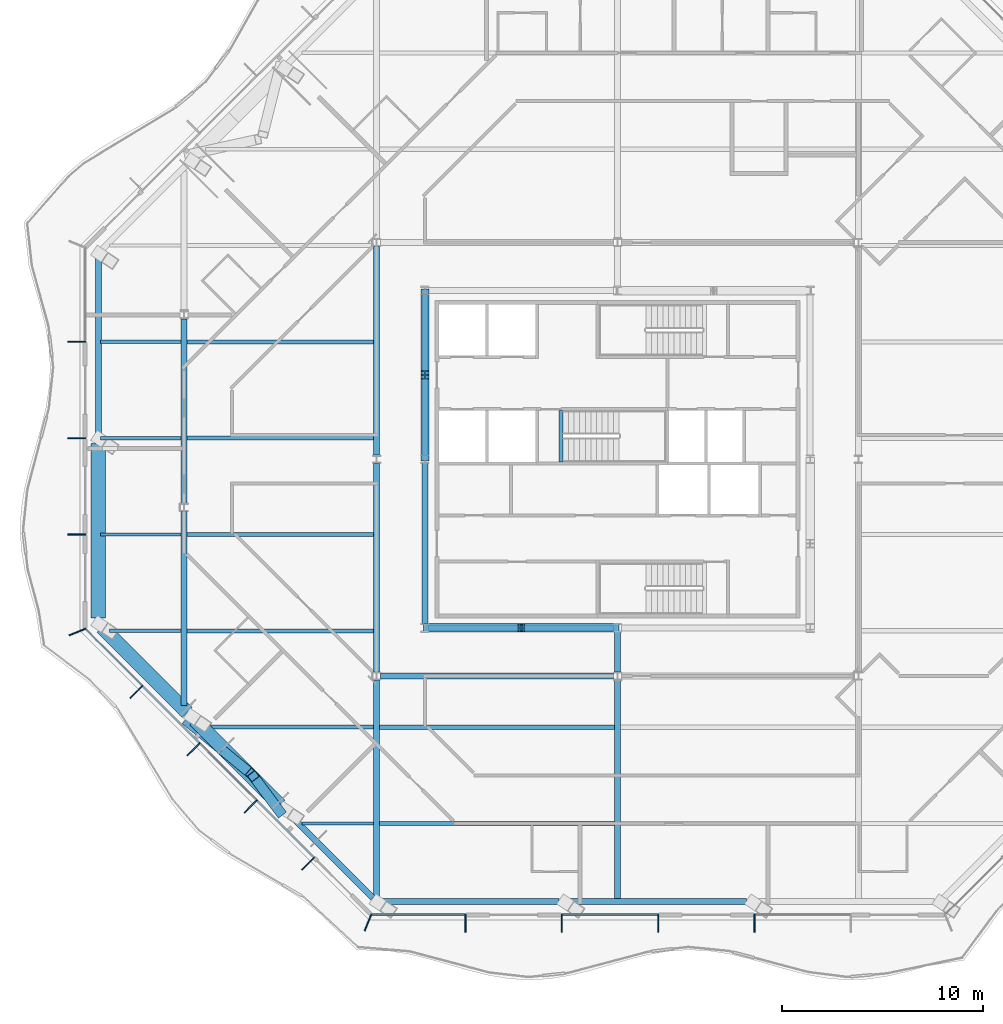
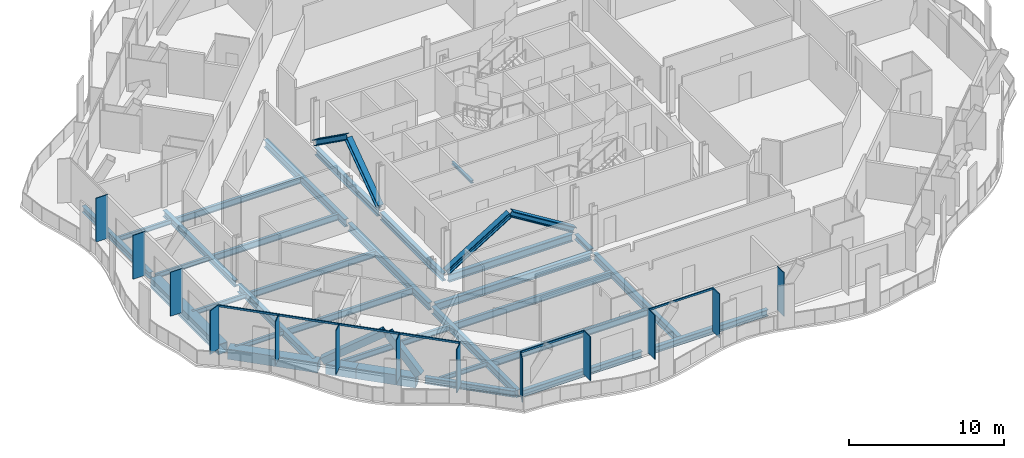
# One storey, part 3 of 21: 32 beams, 25 members, 3 elements without a shape of their own.
"""IFC4 building model written with IfcOpenShell, lengths in metres."""

from ifc_helpers import new_model, si_unit, direction, frame, origin, origin_2d, place, context, subcontext, project, spatial, rectangle, hollow_rectangle, i_section, extrude, material, material_profile, profile_set, type_object, element, aggregate, save


model = new_model("IFC4")

# Units and contexts
model_context = context("Model", 3, precision=1e-05, world=origin(), true_north=direction((0.0, 1.0)))
body_context = subcontext(model_context, "Body", "Model", "MODEL_VIEW")
ifc_project = project(units=[si_unit("LENGTHUNIT", "METRE"), si_unit("AREAUNIT", "SQUARE_METRE"), si_unit("VOLUMEUNIT", "CUBIC_METRE"), si_unit("PLANEANGLEUNIT", "RADIAN"), si_unit("MASSUNIT", "GRAM", prefix="KILO")], contexts=[model_context])

# Site, building, storey
site_placement = place(None, origin())
site = spatial("IfcSite", under=ifc_project, at=site_placement, CompositionType="ELEMENT")
building_placement = place(site_placement, origin())
building = spatial("IfcBuilding", under=site, at=building_placement, Name="Cairn Pilgrim Tower", CompositionType="ELEMENT")
storey_placement = place(building_placement, frame((0.0, 0.0, 183.0)))
storey = spatial("IfcBuildingStorey", under=building, at=storey_placement, Name="L46", CompositionType="ELEMENT", Elevation=183.0)

# Members
ifc_material_1 = material(Name="Structural steel S460M", Category="steel")
ifc_material_profile_1 = material_profile(ifc_material_1, hollow_rectangle(XDim=0.5, YDim=0.5, WallThickness=0.030029296875, at=origin_2d()), Name="BOX 500x500x30")
ifc_profile_set_1 = profile_set([ifc_material_profile_1], Name="Structural steel S460M")
member_type_1 = type_object("IfcMemberType", Name="BOX 500x500x30 BRACE", PredefinedType="BRACE", material=ifc_profile_set_1)
member_1_placement = place(storey_placement, frame((-14.23095703125, -10.66650390625, 0.14990234375), z_axis=(0.645685116665, -0.530402182222, 0.549330733904), x_axis=(0.634752270866, 0.772715701038, 0.0)))
element("IfcMember", 1, at=member_1_placement, inside=storey, type_object=member_type_1, Name="XB-SW2-SW3-1", PredefinedType="BRACE", context=body_context, shape_type="SweptSolid", body=[
    extrude(hollow_rectangle(XDim=0.5, YDim=0.5, WallThickness=0.030029296875, at=origin_2d()), origin(), (0.0, 0.0, 1.0), 4.849609375),
])
member_2_placement = place(storey_placement, frame((-9.61279296875, -15.17724609375, 0.123779296875), z_axis=(-0.381455883571, 0.510868427649, 0.770392665152), x_axis=(-0.801274614577, -0.598296742457, 0.0)))
element("IfcMember", 2, at=member_2_placement, inside=storey, type_object=member_type_1, Name="XB-SW2-SW3-2", PredefinedType="BRACE", context=body_context, shape_type="SweptSolid", body=[
    extrude(hollow_rectangle(XDim=0.5, YDim=0.5, WallThickness=0.030029296875, at=origin_2d()), origin(), (0.0, 0.0, 1.0), 3.491943359375),
])

# Beams
ifc_material_2 = material(Name="Structural steel S355J2", Category="steel")
ifc_material_profile_2 = material_profile(ifc_material_2, hollow_rectangle(XDim=0.699951171875, YDim=0.800048828125, WallThickness=0.0400390625, at=origin_2d()), Name="BOX 700x800x40")
ifc_profile_set_2 = profile_set([ifc_material_profile_2], Name="Structural steel S355J2")
beam_type_1 = type_object("IfcBeamType", Name="BOX 700x800x40 RING GIRDER", PredefinedType="SPANDREL", material=ifc_profile_set_2)
beam_1_placement = place(storey_placement, frame((-18.675048828125, 3.179931640625, -0.550048828125), z_axis=(0.0, -1.0, 0.0), x_axis=(1.0, 0.0, 0.0)))
element("IfcBeam", 3, at=beam_1_placement, inside=storey, type_object=beam_type_1, Name="RG2-W2-SW1", PredefinedType="SPANDREL", context=body_context, shape_type="SweptSolid", body=[
    extrude(hollow_rectangle(XDim=0.699951171875, YDim=0.800048828125, WallThickness=0.0400390625, at=origin_2d()), origin(), (0.0, 0.0, 1.0), 8.68701171875),
])
beam_2_placement = place(storey_placement, frame((-18.484130859375, -5.968017578125, -0.550048828125), z_axis=(0.707086435425, -0.707127126363, 0.0), x_axis=(0.707127126363, 0.707086435425, 0.0)))
element("IfcBeam", 4, at=beam_2_placement, inside=storey, type_object=beam_type_1, Name="RG2-SW1-SW2", PredefinedType="SPANDREL", context=body_context, shape_type="SweptSolid", body=[
    extrude(hollow_rectangle(XDim=0.699951171875, YDim=0.800048828125, WallThickness=0.0400390625, at=origin_2d()), origin(), (0.0, 0.0, 1.0), 5.999755859375),
])
beam_3_placement = place(storey_placement, frame((-13.85986328125, -10.59228515625, -0.550048828125), z_axis=(0.707106781187, -0.707106781187, 0.0), x_axis=(0.707106781187, 0.707106781187, 0.0)))
element("IfcBeam", 5, at=beam_3_placement, inside=storey, type_object=beam_type_1, Name="RG2-SW2-SW3-1", PredefinedType="SPANDREL", context=body_context, shape_type="SweptSolid", body=[
    extrude(hollow_rectangle(XDim=0.699951171875, YDim=0.800048828125, WallThickness=0.0400390625, at=origin_2d()), origin(), (0.0, 0.0, 1.0), 2.01904296875),
])
beam_4_placement = place(storey_placement, frame((-12.43212890625, -12.02001953125, -0.550048828125), z_axis=(0.707106781187, -0.707106781187, 0.0), x_axis=(0.707106781187, 0.707106781187, 0.0)))
element("IfcBeam", 6, at=beam_4_placement, inside=storey, type_object=beam_type_1, Name="RG2-SW2-SW3-2", PredefinedType="SPANDREL", context=body_context, shape_type="SweptSolid", body=[
    extrude(hollow_rectangle(XDim=0.699951171875, YDim=0.800048828125, WallThickness=0.0400390625, at=origin_2d()), origin(), (0.0, 0.0, 1.0), 3.98046875),
])

# Curtain wall, members
ifc_material_3 = material(Name="Aluminium alloy 6063-T6 bronze anodised with Bronze tinted laminated low-E glass 8+16+8.8", Category="aluminium")
curtain_wall_type_1 = type_object("IfcCurtainWallType", Name="TOWER STICK CURTAIN WALL NS", PredefinedType="NOTDEFINED", material=ifc_material_3)
curtain_wall_1_placement = place(storey_placement, origin())
curtain_wall_1 = element("IfcCurtainWall", 7, at=curtain_wall_1_placement, inside=storey, type_object=curtain_wall_type_1, Name="Tower Stick Curtain Wall Ns S", PredefinedType="NOTDEFINED")
ifc_material_4 = material(Name="Aluminium alloy 6063-T6 bronze anodised", Category="aluminium")
ifc_material_profile_3 = material_profile(ifc_material_4, rectangle(XDim=0.89990234375, YDim=0.06005859375, at=origin_2d()), Name="FIN MULLION 60x900 BRONZE")
ifc_profile_set_3 = profile_set([ifc_material_profile_3], Name="Aluminium alloy 6063-T6 bronze anodised")
member_type_2 = type_object("IfcMemberType", Name="FIN MULLION 60x900 BRONZE", PredefinedType="MULLION", material=ifc_profile_set_3)
member_3_placement = place(storey_placement, frame((-5.232177734375, -20.68798828125, 0.0), z_axis=(0.0, 0.0, 1.0), x_axis=(-0.382683432365, -0.923879532511, 0.0)))
member_3 = element("IfcMember", 8, at=member_3_placement, type_object=member_type_2, Name="Fin mullion S1", PredefinedType="MULLION", context=body_context, shape_type="SweptSolid", body=[
    extrude(rectangle(XDim=0.89990234375, YDim=0.06005859375, at=origin_2d()), origin(), (0.0, 0.0, 1.0), 3.449951171875),
])
member_4_placement = place(storey_placement, frame((-0.375, -20.719970703125, 0.0), z_axis=(0.0, 0.0, 1.0), x_axis=(0.0, -1.0, 0.0)))
member_4 = element("IfcMember", 9, at=member_4_placement, type_object=member_type_2, Name="Fin mullion S2", PredefinedType="MULLION", context=body_context, shape_type="SweptSolid", body=[
    extrude(rectangle(XDim=0.89990234375, YDim=0.06005859375, at=origin_2d()), origin(), (0.0, 0.0, 1.0), 3.449951171875),
])
member_5_placement = place(storey_placement, frame((4.425048828125, -20.719970703125, 0.0), z_axis=(0.0, 0.0, 1.0), x_axis=(0.0, -1.0, 0.0)))
member_5 = element("IfcMember", 10, at=member_5_placement, type_object=member_type_2, Name="Fin mullion S3", PredefinedType="MULLION", context=body_context, shape_type="SweptSolid", body=[
    extrude(rectangle(XDim=0.89990234375, YDim=0.06005859375, at=origin_2d()), origin(), (0.0, 0.0, 1.0), 3.449951171875),
])
member_6_placement = place(storey_placement, frame((9.22509765625, -20.719970703125, 0.0), z_axis=(0.0, 0.0, 1.0), x_axis=(0.0, -1.0, 0.0)))
member_6 = element("IfcMember", 11, at=member_6_placement, type_object=member_type_2, Name="Fin mullion S4", PredefinedType="MULLION", context=body_context, shape_type="SweptSolid", body=[
    extrude(rectangle(XDim=0.89990234375, YDim=0.06005859375, at=origin_2d()), origin(), (0.0, 0.0, 1.0), 3.449951171875),
])
member_7_placement = place(storey_placement, frame((14.02490234375, -20.719970703125, 0.0), z_axis=(0.0, 0.0, 1.0), x_axis=(0.0, -1.0, 0.0)))
member_7 = element("IfcMember", 12, at=member_7_placement, type_object=member_type_2, Name="Fin mullion S5", PredefinedType="MULLION", context=body_context, shape_type="SweptSolid", body=[
    extrude(rectangle(XDim=0.89990234375, YDim=0.06005859375, at=origin_2d()), origin(), (0.0, 0.0, 1.0), 3.449951171875),
])

curtain_wall_type_2 = type_object("IfcCurtainWallType", Name="TOWER STICK CURTAIN WALL EW", PredefinedType="NOTDEFINED", material=ifc_material_3)
curtain_wall_2_placement = place(storey_placement, origin())
curtain_wall_2 = element("IfcCurtainWall", 13, at=curtain_wall_2_placement, inside=storey, type_object=curtain_wall_type_2, Name="Tower Stick Curtain Wall Ew W", PredefinedType="NOTDEFINED")
member_8_placement = place(storey_placement, frame((-19.7451171875, 8.25, 0.0), z_axis=(0.0, 0.0, 1.0), x_axis=(-1.0, 0.0, 0.0)))
member_8 = element("IfcMember", 14, at=member_8_placement, type_object=member_type_2, Name="Fin mullion W2", PredefinedType="MULLION", context=body_context, shape_type="SweptSolid", body=[
    extrude(rectangle(XDim=0.89990234375, YDim=0.06005859375, at=origin_2d()), origin(), (0.0, 0.0, 1.0), 3.449951171875),
])
member_9_placement = place(storey_placement, frame((-19.7451171875, 3.449951171875, 0.0), z_axis=(0.0, 0.0, 1.0), x_axis=(-1.0, 0.0, 0.0)))
member_9 = element("IfcMember", 15, at=member_9_placement, type_object=member_type_2, Name="Fin mullion W3", PredefinedType="MULLION", context=body_context, shape_type="SweptSolid", body=[
    extrude(rectangle(XDim=0.89990234375, YDim=0.06005859375, at=origin_2d()), origin(), (0.0, 0.0, 1.0), 3.449951171875),
])
member_10_placement = place(storey_placement, frame((-19.7451171875, -1.35009765625, 0.0), z_axis=(0.0, 0.0, 1.0), x_axis=(-1.0, 0.0, 0.0)))
member_10 = element("IfcMember", 16, at=member_10_placement, type_object=member_type_2, Name="Fin mullion W4", PredefinedType="MULLION", context=body_context, shape_type="SweptSolid", body=[
    extrude(rectangle(XDim=0.89990234375, YDim=0.06005859375, at=origin_2d()), origin(), (0.0, 0.0, 1.0), 3.449951171875),
])
aggregate(curtain_wall_2, [member_8, member_9, member_10])

curtain_wall_type_3 = type_object("IfcCurtainWallType", Name="CHAMFER CORNER CURTAIN WALL", PredefinedType="NOTDEFINED", material=ifc_material_3)
curtain_wall_3_placement = place(storey_placement, origin())
curtain_wall_3 = element("IfcCurtainWall", 17, at=curtain_wall_3_placement, inside=storey, type_object=curtain_wall_type_3, Name="Chamfer Corner Curtain Wall SW", PredefinedType="NOTDEFINED")
member_11_placement = place(storey_placement, frame((-19.713134765625, -6.207275390625, 0.0), z_axis=(0.0, 0.0, 1.0), x_axis=(-0.923879532511, -0.382683432365, 0.0)))
member_11 = element("IfcMember", 18, at=member_11_placement, type_object=member_type_2, Name="Fin mullion SW1", PredefinedType="MULLION", context=body_context, shape_type="SweptSolid", body=[
    extrude(rectangle(XDim=0.89990234375, YDim=0.06005859375, at=origin_2d()), origin(), (0.0, 0.0, 1.0), 3.449951171875),
])
member_12_placement = place(storey_placement, frame((-16.771240234375, -9.194091796875, 0.0), z_axis=(0.0, 0.0, 1.0), x_axis=(-0.707106781187, -0.707106781187, 0.0)))
member_12 = element("IfcMember", 19, at=member_12_placement, type_object=member_type_2, Name="Fin mullion SW2", PredefinedType="MULLION", context=body_context, shape_type="SweptSolid", body=[
    extrude(rectangle(XDim=0.89990234375, YDim=0.06005859375, at=origin_2d()), origin(), (0.0, 0.0, 1.0), 3.449951171875),
])
member_13_placement = place(storey_placement, frame((-13.920654296875, -12.044921875, 0.0), z_axis=(0.0, 0.0, 1.0), x_axis=(-0.707106781187, -0.707106781187, 0.0)))
member_13 = element("IfcMember", 20, at=member_13_placement, type_object=member_type_2, Name="Fin mullion SW3", PredefinedType="MULLION", context=body_context, shape_type="SweptSolid", body=[
    extrude(rectangle(XDim=0.89990234375, YDim=0.06005859375, at=origin_2d()), origin(), (0.0, 0.0, 1.0), 3.449951171875),
])
member_14_placement = place(storey_placement, frame((-11.06982421875, -14.8955078125, 0.0), z_axis=(0.0, 0.0, 1.0), x_axis=(-0.707106781187, -0.707106781187, 0.0)))
member_14 = element("IfcMember", 21, at=member_14_placement, type_object=member_type_2, Name="Fin mullion SW4", PredefinedType="MULLION", context=body_context, shape_type="SweptSolid", body=[
    extrude(rectangle(XDim=0.89990234375, YDim=0.06005859375, at=origin_2d()), origin(), (0.0, 0.0, 1.0), 3.449951171875),
])
member_15_placement = place(storey_placement, frame((-8.21923828125, -17.746337890625, 0.0), z_axis=(0.0, 0.0, 1.0), x_axis=(-0.707106781187, -0.707106781187, 0.0)))
member_15 = element("IfcMember", 22, at=member_15_placement, type_object=member_type_2, Name="Fin mullion SW5", PredefinedType="MULLION", context=body_context, shape_type="SweptSolid", body=[
    extrude(rectangle(XDim=0.89990234375, YDim=0.06005859375, at=origin_2d()), origin(), (0.0, 0.0, 1.0), 3.449951171875),
])

# Members
ifc_material_profile_4 = material_profile(ifc_material_1, i_section(OverallWidth=0.408935546875, OverallDepth=0.425048828125, WebThickness=0.03271484375, FlangeThickness=0.052490234375, FilletRadius=0.014892578125, at=origin_2d()), Name="HD 400x421")
ifc_profile_set_4 = profile_set([ifc_material_profile_4], Name="Structural steel S460M")
member_type_3 = type_object("IfcMemberType", Name="HD 400x421 BRACE", PredefinedType="BRACE", material=ifc_profile_set_4)
member_16_placement = place(storey_placement, frame((-2.3583984375, -6.0, 0.10009765625), z_axis=(0.851119565216, 0.0, 0.524971890397), x_axis=(0.0, 1.0, 0.0)))
element("IfcMember", 23, at=member_16_placement, inside=storey, type_object=member_type_3, Name="KB-1A", PredefinedType="BRACE", context=body_context, shape_type="SweptSolid", body=[
    extrude(i_section(OverallWidth=0.408935546875, OverallDepth=0.425048828125, WebThickness=0.03271484375, FlangeThickness=0.052490234375, FilletRadius=0.014892578125, at=origin_2d()), origin(), (0.0, 0.0, 1.0), 5.528076171875),
])
member_17_placement = place(storey_placement, frame((7.158447265625, -6.0, 0.10009765625), z_axis=(-0.851131735799, 0.0, 0.52495215812), x_axis=(0.0, -1.0, 0.0)))
element("IfcMember", 24, at=member_17_placement, inside=storey, type_object=member_type_3, Name="KB-1B", PredefinedType="BRACE", context=body_context, shape_type="SweptSolid", body=[
    extrude(i_section(OverallWidth=0.408935546875, OverallDepth=0.425048828125, WebThickness=0.03271484375, FlangeThickness=0.052490234375, FilletRadius=0.014892578125, at=origin_2d()), origin(), (0.0, 0.0, 1.0), 5.5283203125),
])
for number, where, z_axis, x_axis, name in (
    (25, (-2.39990234375, 10.75830078125, 0.10009765625), (0.0, -0.81433042856, 0.580401544727), (1.0, 0.0, 0.0), "KB-4A"),
    (26, (-2.39990234375, 2.441650390625, 0.10009765625), (0.0, 0.81433042856, 0.580401544727), (-1.0, 0.0, 0.0), "KB-4B"),
):
    element("IfcMember", number, at=place(storey_placement, frame(where, z_axis=z_axis, x_axis=x_axis)), inside=storey, type_object=member_type_3, Name=name, PredefinedType="BRACE", context=body_context, shape_type="SweptSolid", body=[
        extrude(i_section(OverallWidth=0.408935546875, OverallDepth=0.425048828125, WebThickness=0.03271484375, FlangeThickness=0.052490234375, FilletRadius=0.014892578125, at=origin_2d()), origin(), (0.0, 0.0, 1.0), 4.998046875),
    ])

# Beams
ifc_material_profile_5 = material_profile(ifc_material_2, i_section(OverallWidth=0.300048828125, OverallDepth=0.39990234375, WebThickness=0.013427734375, FlangeThickness=0.02392578125, FilletRadius=0.027099609375, at=origin_2d()), Name="HEB 400")
ifc_profile_set_5 = profile_set([ifc_material_profile_5], Name="Structural steel S355J2")
beam_type_2 = type_object("IfcBeamType", Name="HEB 400 GIRDER", PredefinedType="BEAM", material=ifc_profile_set_5)
beam_5_placement = place(storey_placement, frame((7.199951171875, -8.200439453125, -0.35009765625), z_axis=(0.0, 1.0, 0.0), x_axis=(-1.0, 0.0, 0.0)))
element("IfcBeam", 27, at=beam_5_placement, inside=storey, type_object=beam_type_2, Name="PG3-E1", PredefinedType="BEAM", context=body_context, shape_type="SweptSolid", body=[
    extrude(i_section(OverallWidth=0.300048828125, OverallDepth=0.39990234375, WebThickness=0.013427734375, FlangeThickness=0.02392578125, FilletRadius=0.027099609375, at=origin_2d()), origin(), (0.0, 0.0, 1.0), 1.992431640625),
])
ifc_material_profile_6 = material_profile(ifc_material_2, i_section(OverallWidth=0.300048828125, OverallDepth=0.5, WebThickness=0.014404296875, FlangeThickness=0.028076171875, FilletRadius=0.027099609375, at=origin_2d()), Name="HEB 500")
ifc_profile_set_6 = profile_set([ifc_material_profile_6], Name="Structural steel S355J2")
beam_type_3 = type_object("IfcBeamType", Name="HEB 500 GIRDER", PredefinedType="BEAM", material=ifc_profile_set_6)
beam_6_placement = place(storey_placement, frame((-14.39990234375, 0.199462890625, -0.39990234375), z_axis=(0.0, 1.0, 0.0), x_axis=(-1.0, 0.0, 0.0)))
element("IfcBeam", 28, at=beam_6_placement, inside=storey, type_object=beam_type_3, Name="PG1-2", PredefinedType="BEAM", context=body_context, shape_type="SweptSolid", body=[
    extrude(i_section(OverallWidth=0.300048828125, OverallDepth=0.5, WebThickness=0.014404296875, FlangeThickness=0.028076171875, FilletRadius=0.027099609375, at=origin_2d()), origin(), (0.0, 0.0, 1.0), 9.200927734375),
])
ifc_material_profile_7 = material_profile(ifc_material_2, i_section(OverallWidth=0.300048828125, OverallDepth=0.5, WebThickness=0.014404296875, FlangeThickness=0.028076171875, FilletRadius=0.027099609375, at=origin_2d()), Name="HEB 500")
ifc_profile_set_7 = profile_set([ifc_material_profile_7], Name="Structural steel S355J2")
beam_type_4 = type_object("IfcBeamType", Name="HEB 500 RING GIRDER", PredefinedType="SPANDREL", material=ifc_profile_set_7)
beam_7_placement = place(storey_placement, frame((-4.5322265625, -19.64990234375, -0.39990234375), z_axis=(1.0, 0.0, 0.0), x_axis=(0.0, 1.0, 0.0)))
element("IfcBeam", 29, at=beam_7_placement, inside=storey, type_object=beam_type_4, Name="RG2-S1-S2", PredefinedType="SPANDREL", context=body_context, shape_type="SweptSolid", body=[
    extrude(i_section(OverallWidth=0.300048828125, OverallDepth=0.5, WebThickness=0.014404296875, FlangeThickness=0.028076171875, FilletRadius=0.027099609375, at=origin_2d()), origin(), (0.0, 0.0, 1.0), 8.8115234375),
])
beam_8_placement = place(storey_placement, frame((4.8193359375, -19.64990234375, -0.39990234375), z_axis=(1.0, 0.0, 0.0), x_axis=(0.0, 1.0, 0.0)))
element("IfcBeam", 30, at=beam_8_placement, inside=storey, type_object=beam_type_4, Name="RG2-S2-S3", PredefinedType="SPANDREL", context=body_context, shape_type="SweptSolid", body=[
    extrude(i_section(OverallWidth=0.300048828125, OverallDepth=0.5, WebThickness=0.014404296875, FlangeThickness=0.028076171875, FilletRadius=0.027099609375, at=origin_2d()), origin(), (0.0, 0.0, 1.0), 8.811279296875),
])
beam_9_placement = place(storey_placement, frame((-18.675048828125, 12.4072265625, -0.39990234375), z_axis=(0.0, -1.0, 0.0), x_axis=(1.0, 0.0, 0.0)))
element("IfcBeam", 31, at=beam_9_placement, inside=storey, type_object=beam_type_4, Name="RG2-W1-W2", PredefinedType="SPANDREL", context=body_context, shape_type="SweptSolid", body=[
    extrude(i_section(OverallWidth=0.300048828125, OverallDepth=0.5, WebThickness=0.014404296875, FlangeThickness=0.028076171875, FilletRadius=0.027099609375, at=origin_2d()), origin(), (0.0, 0.0, 1.0), 8.687255859375),
])
beam_10_placement = place(storey_placement, frame((-9.235595703125, -15.216796875, -0.39990234375), z_axis=(0.707127127534, -0.707086434254, 0.0), x_axis=(0.707086434254, 0.707127127534, 0.0)))
element("IfcBeam", 32, at=beam_10_placement, inside=storey, type_object=beam_type_4, Name="RG2-SW3-S1", PredefinedType="SPANDREL", context=body_context, shape_type="SweptSolid", body=[
    extrude(i_section(OverallWidth=0.300048828125, OverallDepth=0.5, WebThickness=0.014404296875, FlangeThickness=0.028076171875, FilletRadius=0.027099609375, at=origin_2d()), origin(), (0.0, 0.0, 1.0), 5.99951171875),
])
ifc_material_profile_8 = material_profile(ifc_material_2, i_section(OverallWidth=0.300048828125, OverallDepth=0.60009765625, WebThickness=0.015380859375, FlangeThickness=0.030029296875, FilletRadius=0.027099609375, at=origin_2d()), Name="HEB 600")
ifc_profile_set_8 = profile_set([ifc_material_profile_8], Name="Structural steel S355J2")
beam_type_5 = type_object("IfcBeamType", Name="HEB 600 CORE BEAM", PredefinedType="BEAM", material=ifc_profile_set_8)
beam_11_placement = place(storey_placement, frame((-2.212890625, -6.0, -0.449951171875), z_axis=(1.0, 0.0, 0.0), x_axis=(0.0, 1.0, 0.0)))
element("IfcBeam", 33, at=beam_11_placement, inside=storey, type_object=beam_type_5, Name="CB-1", PredefinedType="BEAM", context=body_context, shape_type="SweptSolid", body=[
    extrude(i_section(OverallWidth=0.300048828125, OverallDepth=0.60009765625, WebThickness=0.015380859375, FlangeThickness=0.030029296875, FilletRadius=0.027099609375, at=origin_2d()), origin(), (0.0, 0.0, 1.0), 9.2255859375),
])
for number, where, z_axis, x_axis, name in (
    (34, (-2.39990234375, 10.61279296875, -0.449951171875), (0.0, -1.0, 0.0), (1.0, 0.0, 0.0), "CB-7"),
    (35, (-2.39990234375, 2.212890625, -0.449951171875), (0.0, -1.0, 0.0), (1.0, 0.0, 0.0), "CB-8"),
):
    element("IfcBeam", number, at=place(storey_placement, frame(where, z_axis=z_axis, x_axis=x_axis)), inside=storey, type_object=beam_type_5, Name=name, PredefinedType="BEAM", context=body_context, shape_type="SweptSolid", body=[
        extrude(i_section(OverallWidth=0.300048828125, OverallDepth=0.60009765625, WebThickness=0.015380859375, FlangeThickness=0.030029296875, FilletRadius=0.027099609375, at=origin_2d()), origin(), (0.0, 0.0, 1.0), 8.025634765625),
    ])
ifc_material_profile_9 = material_profile(ifc_material_2, i_section(OverallWidth=0.300048828125, OverallDepth=0.60009765625, WebThickness=0.015380859375, FlangeThickness=0.030029296875, FilletRadius=0.027099609375, at=origin_2d()), Name="HEB 600")
ifc_profile_set_9 = profile_set([ifc_material_profile_9], Name="Structural steel S355J2")
beam_type_6 = type_object("IfcBeamType", Name="HEB 600 GIRDER", PredefinedType="BEAM", material=ifc_profile_set_9)
beam_12_placement = place(storey_placement, frame((-14.39990234375, -9.8701171875, -0.449951171875), z_axis=(0.0, 1.0, 0.0), x_axis=(-1.0, 0.0, 0.0)))
element("IfcBeam", 36, at=beam_12_placement, inside=storey, type_object=beam_type_6, Name="PG1-1", PredefinedType="BEAM", context=body_context, shape_type="SweptSolid", body=[
    extrude(i_section(OverallWidth=0.300048828125, OverallDepth=0.60009765625, WebThickness=0.015380859375, FlangeThickness=0.030029296875, FilletRadius=0.027099609375, at=origin_2d()), origin(), (0.0, 0.0, 1.0), 9.670654296875),
])
beam_13_placement = place(storey_placement, frame((-4.800048828125, -19.530029296875, -0.449951171875), z_axis=(0.0, 1.0, 0.0), x_axis=(-1.0, 0.0, 0.0)))
element("IfcBeam", 37, at=beam_13_placement, inside=storey, type_object=beam_type_6, Name="PG2-1", PredefinedType="BEAM", context=body_context, shape_type="SweptSolid", body=[
    extrude(i_section(OverallWidth=0.300048828125, OverallDepth=0.60009765625, WebThickness=0.015380859375, FlangeThickness=0.030029296875, FilletRadius=0.027099609375, at=origin_2d()), origin(), (0.0, 0.0, 1.0), 10.930419921875),
])
for number, where, z_axis, x_axis, name in (
    (38, (-4.800048828125, -8.200439453125, -0.449951171875), (0.0, 1.0, 0.0), (-1.0, 0.0, 0.0), "PG2-2"),
    (39, (-4.800048828125, 2.599609375, -0.449951171875), (0.0, 1.0, 0.0), (-1.0, 0.0, 0.0), "PG2-3"),
):
    element("IfcBeam", number, at=place(storey_placement, frame(where, z_axis=z_axis, x_axis=x_axis)), inside=storey, type_object=beam_type_6, Name=name, PredefinedType="BEAM", context=body_context, shape_type="SweptSolid", body=[
        extrude(i_section(OverallWidth=0.300048828125, OverallDepth=0.60009765625, WebThickness=0.015380859375, FlangeThickness=0.030029296875, FilletRadius=0.027099609375, at=origin_2d()), origin(), (0.0, 0.0, 1.0), 10.40087890625),
    ])
beam_14_placement = place(storey_placement, frame((7.199951171875, -19.530029296875, -0.449951171875), z_axis=(0.0, 1.0, 0.0), x_axis=(-1.0, 0.0, 0.0)))
element("IfcBeam", 40, at=beam_14_placement, inside=storey, type_object=beam_type_6, Name="PG3-1", PredefinedType="BEAM", context=body_context, shape_type="SweptSolid", body=[
    extrude(i_section(OverallWidth=0.300048828125, OverallDepth=0.60009765625, WebThickness=0.015380859375, FlangeThickness=0.030029296875, FilletRadius=0.027099609375, at=origin_2d()), origin(), (0.0, 0.0, 1.0), 10.930419921875),
])
ifc_material_profile_10 = material_profile(ifc_material_2, i_section(OverallWidth=0.300048828125, OverallDepth=0.60009765625, WebThickness=0.015380859375, FlangeThickness=0.030029296875, FilletRadius=0.027099609375, at=origin_2d()), Name="HEB 600")
ifc_profile_set_10 = profile_set([ifc_material_profile_10], Name="Structural steel S355J2")
beam_type_7 = type_object("IfcBeamType", Name="HEB 600 INNER GIRDER", PredefinedType="BEAM", material=ifc_profile_set_10)
beam_15_placement = place(storey_placement, frame((-4.6005859375, -8.39990234375, -0.449951171875), z_axis=(1.0, 0.0, 0.0), x_axis=(0.0, 1.0, 0.0)))
element("IfcBeam", 41, at=beam_15_placement, inside=storey, type_object=beam_type_7, Name="IG1-1", PredefinedType="BEAM", context=body_context, shape_type="SweptSolid", body=[
    extrude(i_section(OverallWidth=0.300048828125, OverallDepth=0.60009765625, WebThickness=0.015380859375, FlangeThickness=0.030029296875, FilletRadius=0.027099609375, at=origin_2d()), origin(), (0.0, 0.0, 1.0), 11.60107421875),
])
ifc_material_profile_11 = material_profile(ifc_material_2, i_section(OverallWidth=0.169921875, OverallDepth=0.360107421875, WebThickness=0.008056640625, FlangeThickness=0.0126953125, FilletRadius=0.01806640625, at=origin_2d()), Name="IPE 360")
ifc_profile_set_11 = profile_set([ifc_material_profile_11], Name="Structural steel S355J2")
beam_type_8 = type_object("IfcBeamType", Name="IPE 360 SECONDARY BEAM", PredefinedType="JOIST", material=ifc_profile_set_11)
for number, where, z_axis, x_axis, name in (
    (42, (-8.52001953125, -15.75, -0.330078125), (1.0, 0.0, 0.0), (0.0, 1.0, 0.0), "SB1-1"),
    (43, (-18.1201171875, -6.14990234375, -0.330078125), (1.0, 0.0, 0.0), (0.0, 1.0, 0.0), "SB3-1"),
):
    element("IfcBeam", number, at=place(storey_placement, frame(where, z_axis=z_axis, x_axis=x_axis)), inside=storey, type_object=beam_type_8, Name=name, PredefinedType="JOIST", context=body_context, shape_type="SweptSolid", body=[
        extrude(i_section(OverallWidth=0.169921875, OverallDepth=0.360107421875, WebThickness=0.008056640625, FlangeThickness=0.0126953125, FilletRadius=0.01806640625, at=origin_2d()), origin(), (0.0, 0.0, 1.0), 3.570068359375),
    ])
for number, where, z_axis, x_axis, name in (
    (44, (-18.554931640625, -1.35009765625, -0.330078125), (1.0, 0.0, 0.0), (0.0, 1.0, 0.0), "SB4-1"),
    (45, (-18.554931640625, 3.449951171875, -0.330078125), (1.0, 0.0, 0.0), (0.0, 1.0, 0.0), "SB5-1"),
    (46, (-18.554931640625, 8.25, -0.330078125), (1.0, 0.0, 0.0), (0.0, 1.0, 0.0), "SB6-1"),
):
    element("IfcBeam", number, at=place(storey_placement, frame(where, z_axis=z_axis, x_axis=x_axis)), inside=storey, type_object=beam_type_8, Name=name, PredefinedType="JOIST", context=body_context, shape_type="SweptSolid", body=[
        extrude(i_section(OverallWidth=0.169921875, OverallDepth=0.360107421875, WebThickness=0.008056640625, FlangeThickness=0.0126953125, FilletRadius=0.01806640625, at=origin_2d()), origin(), (0.0, 0.0, 1.0), 4.0048828125),
    ])
ifc_material_profile_12 = material_profile(ifc_material_2, i_section(OverallWidth=0.18994140625, OverallDepth=0.449951171875, WebThickness=0.009521484375, FlangeThickness=0.0146484375, FilletRadius=0.02099609375, at=origin_2d()), Name="IPE 450")
ifc_profile_set_12 = profile_set([ifc_material_profile_12], Name="Structural steel S355J2")
beam_type_9 = type_object("IfcBeamType", Name="IPE 450 SECONDARY BEAM", PredefinedType="JOIST", material=ifc_profile_set_12)
beam_16_placement = place(storey_placement, frame((-13.320068359375, -10.949951171875, -0.375), z_axis=(1.0, 0.0, 0.0), x_axis=(0.0, 1.0, 0.0)))
element("IfcBeam", 47, at=beam_16_placement, inside=storey, type_object=beam_type_9, Name="SB2-1", PredefinedType="JOIST", context=body_context, shape_type="SweptSolid", body=[
    extrude(i_section(OverallWidth=0.18994140625, OverallDepth=0.449951171875, WebThickness=0.009521484375, FlangeThickness=0.0146484375, FilletRadius=0.02099609375, at=origin_2d()), origin(), (0.0, 0.0, 1.0), 8.3701171875),
])
ifc_material_profile_13 = material_profile(ifc_material_2, i_section(OverallWidth=0.199951171875, OverallDepth=0.5, WebThickness=0.01025390625, FlangeThickness=0.01611328125, FilletRadius=0.02099609375, at=origin_2d()), Name="IPE 500")
ifc_profile_set_13 = profile_set([ifc_material_profile_13], Name="Structural steel S355J2")
beam_type_10 = type_object("IfcBeamType", Name="IPE 500 SECONDARY BEAM", PredefinedType="JOIST", material=ifc_profile_set_13)
for number, where, z_axis, x_axis, name in (
    (48, (-14.25, -6.14990234375, -0.39990234375), (1.0, 0.0, 0.0), (0.0, 1.0, 0.0), "SB3-2"),
    (49, (-14.25, -1.35009765625, -0.39990234375), (1.0, 0.0, 0.0), (0.0, 1.0, 0.0), "SB4-2"),
    (50, (-14.25, 3.449951171875, -0.39990234375), (1.0, 0.0, 0.0), (0.0, 1.0, 0.0), "SB5-2"),
    (51, (-14.25, 8.25, -0.39990234375), (1.0, 0.0, 0.0), (0.0, 1.0, 0.0), "SB6-2"),
):
    element("IfcBeam", number, at=place(storey_placement, frame(where, z_axis=z_axis, x_axis=x_axis)), inside=storey, type_object=beam_type_10, Name=name, PredefinedType="JOIST", context=body_context, shape_type="SweptSolid", body=[
        extrude(i_section(OverallWidth=0.199951171875, OverallDepth=0.5, WebThickness=0.01025390625, FlangeThickness=0.01611328125, FilletRadius=0.02099609375, at=origin_2d()), origin(), (0.0, 0.0, 1.0), 9.300048828125),
    ])
ifc_material_profile_14 = material_profile(ifc_material_2, i_section(OverallWidth=0.2099609375, OverallDepth=0.550048828125, WebThickness=0.010986328125, FlangeThickness=0.01708984375, FilletRadius=0.02392578125, at=origin_2d()), Name="IPE 550")
ifc_profile_set_14 = profile_set([ifc_material_profile_14], Name="Structural steel S355J2")
beam_type_11 = type_object("IfcBeamType", Name="IPE 550 SECONDARY BEAM", PredefinedType="JOIST", material=ifc_profile_set_14)
for number, where, z_axis, x_axis, name in (
    (52, (-4.64990234375, -15.75, -0.425048828125), (1.0, 0.0, 0.0), (0.0, 1.0, 0.0), "SB1-2"),
    (53, (-4.64990234375, -10.949951171875, -0.425048828125), (1.0, 0.0, 0.0), (0.0, 1.0, 0.0), "SB2-2"),
):
    element("IfcBeam", number, at=place(storey_placement, frame(where, z_axis=z_axis, x_axis=x_axis)), inside=storey, type_object=beam_type_11, Name=name, PredefinedType="JOIST", context=body_context, shape_type="SweptSolid", body=[
        extrude(i_section(OverallWidth=0.2099609375, OverallDepth=0.550048828125, WebThickness=0.010986328125, FlangeThickness=0.01708984375, FilletRadius=0.02392578125, at=origin_2d()), origin(), (0.0, 0.0, 1.0), 11.699951171875),
    ])
ifc_material_profile_15 = material_profile(ifc_material_2, i_section(OverallWidth=0.199951171875, OverallDepth=0.199951171875, WebThickness=0.009033203125, FlangeThickness=0.014892578125, FilletRadius=0.01806640625, at=origin_2d()), Name="HE 200 B")
ifc_profile_set_15 = profile_set([ifc_material_profile_15], Name="Structural steel S355J2")
beam_type_12 = type_object("IfcBeamType", Name="STAIR LANDING BEAM HE 200 B", PredefinedType="BEAM", material=ifc_profile_set_15)
beam_17_placement = place(storey_placement, frame((4.37548828125, 2.27490234375, -0.25), z_axis=(0.0, 1.0, 0.0), x_axis=(-1.0, 0.0, 0.0)))
element("IfcBeam", 54, at=beam_17_placement, inside=storey, type_object=beam_type_12, Name="STAIR LANDING BEAM LD-HE200B", PredefinedType="BEAM", context=body_context, shape_type="SweptSolid", body=[
    extrude(i_section(OverallWidth=0.199951171875, OverallDepth=0.199951171875, WebThickness=0.009033203125, FlangeThickness=0.014892578125, FilletRadius=0.01806640625, at=origin_2d()), origin(), (0.0, 0.0, 1.0), 2.550048828125),
])

# Member
ifc_material_profile_16 = material_profile(ifc_material_4, rectangle(XDim=0.080078125, YDim=0.14990234375, at=origin_2d()), Name="TRANSOM 80x150 BRONZE")
ifc_profile_set_16 = profile_set([ifc_material_profile_16], Name="Aluminium alloy 6063-T6 bronze anodised")
member_type_4 = type_object("IfcMemberType", Name="TRANSOM 80x150 BRONZE", PredefinedType="USERDEFINED", material=ifc_profile_set_16)
member_18_placement = place(storey_placement, frame((-5.031494140625, -20.300048828125, 3.375), z_axis=(1.0, 0.0, 0.0), x_axis=(0.0, 1.0, 0.0)))
member_18 = element("IfcMember", 55, at=member_18_placement, type_object=member_type_4, Name="Transom S1", ObjectType="TRANSOM", PredefinedType="USERDEFINED", context=body_context, shape_type="SweptSolid", body=[
    extrude(rectangle(XDim=0.080078125, YDim=0.14990234375, at=origin_2d()), origin(), (0.0, 0.0, 1.0), 4.62646484375),
])

member_19_placement = place(storey_placement, frame((4.455078125, -20.300048828125, 3.375), z_axis=(1.0, 0.0, 0.0), x_axis=(0.0, 1.0, 0.0)))
member_19 = element("IfcMember", 56, at=member_19_placement, type_object=member_type_4, Name="Transom S3", ObjectType="TRANSOM", PredefinedType="USERDEFINED", context=body_context, shape_type="SweptSolid", body=[
    extrude(rectangle(XDim=0.080078125, YDim=0.14990234375, at=origin_2d()), origin(), (0.0, 0.0, 1.0), 4.739990234375),
])

aggregate(curtain_wall_1, [member_3, member_4, member_5, member_6, member_7, member_18, member_19])

member_20_placement = place(storey_placement, frame((-19.296630859375, -6.07470703125, 3.375), z_axis=(0.707075965734, -0.707137595296, 0.0), x_axis=(0.707137595296, 0.707075965734, 0.0)))
member_20 = element("IfcMember", 57, at=member_20_placement, type_object=member_type_4, Name="Transom SW1", ObjectType="TRANSOM", PredefinedType="USERDEFINED", context=body_context, shape_type="SweptSolid", body=[
    extrude(rectangle(XDim=0.080078125, YDim=0.14990234375, at=origin_2d()), origin(), (0.0, 0.0, 1.0), 3.96142578125),
])

member_21_placement = place(storey_placement, frame((-16.453125, -8.91845703125, 3.375), z_axis=(0.70713751761, -0.707076043427, 0.0), x_axis=(0.707076043427, 0.70713751761, 0.0)))
member_21 = element("IfcMember", 58, at=member_21_placement, type_object=member_type_4, Name="Transom SW2", ObjectType="TRANSOM", PredefinedType="USERDEFINED", context=body_context, shape_type="SweptSolid", body=[
    extrude(rectangle(XDim=0.080078125, YDim=0.14990234375, at=origin_2d()), origin(), (0.0, 0.0, 1.0), 3.971435546875),
])

member_22_placement = place(storey_placement, frame((-13.602294921875, -11.76904296875, 3.375), z_axis=(0.707076043427, -0.70713751761, 0.0), x_axis=(0.70713751761, 0.707076043427, 0.0)))
member_22 = element("IfcMember", 59, at=member_22_placement, type_object=member_type_4, Name="Transom SW3", ObjectType="TRANSOM", PredefinedType="USERDEFINED", context=body_context, shape_type="SweptSolid", body=[
    extrude(rectangle(XDim=0.080078125, YDim=0.14990234375, at=origin_2d()), origin(), (0.0, 0.0, 1.0), 3.971435546875),
])

member_23_placement = place(storey_placement, frame((-10.751708984375, -14.619873046875, 3.375), z_axis=(0.70713751761, -0.707076043427, 0.0), x_axis=(0.707076043427, 0.70713751761, 0.0)))
member_23 = element("IfcMember", 60, at=member_23_placement, type_object=member_type_4, Name="Transom SW4", ObjectType="TRANSOM", PredefinedType="USERDEFINED", context=body_context, shape_type="SweptSolid", body=[
    extrude(rectangle(XDim=0.080078125, YDim=0.14990234375, at=origin_2d()), origin(), (0.0, 0.0, 1.0), 3.971435546875),
])

aggregate(curtain_wall_3, [member_11, member_12, member_13, member_14, member_15, member_20, member_21, member_22, member_23])

save(model, "model.ifc")
